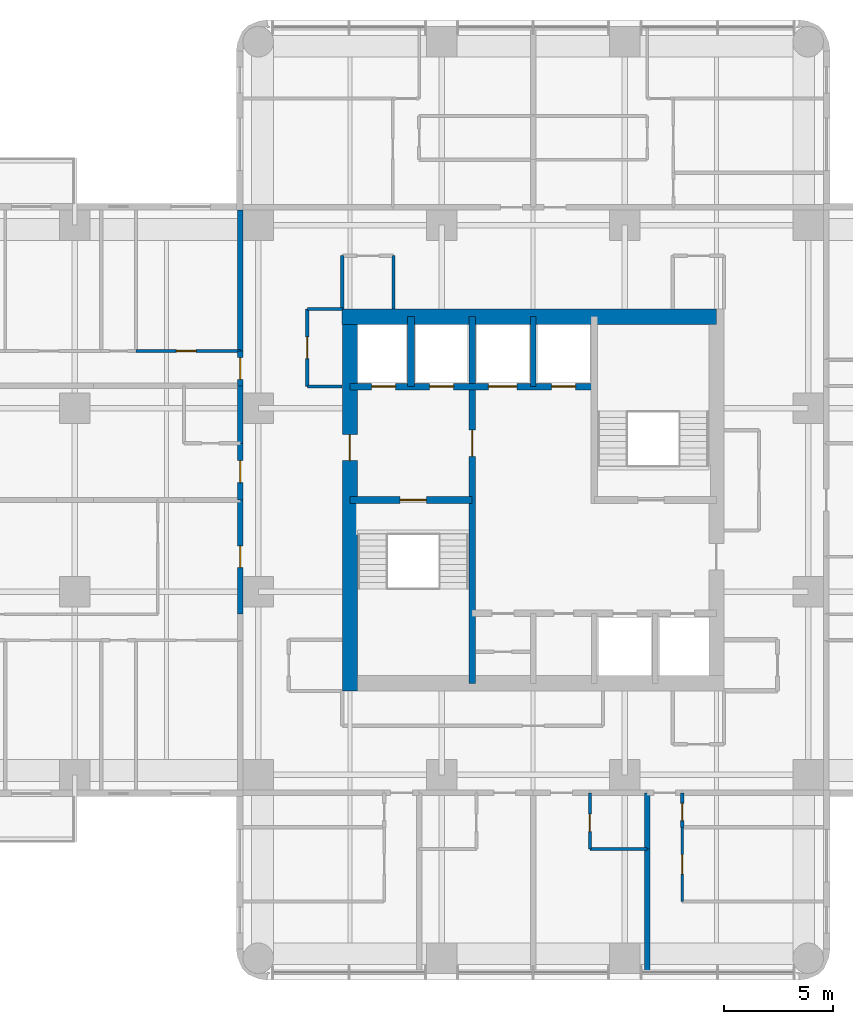
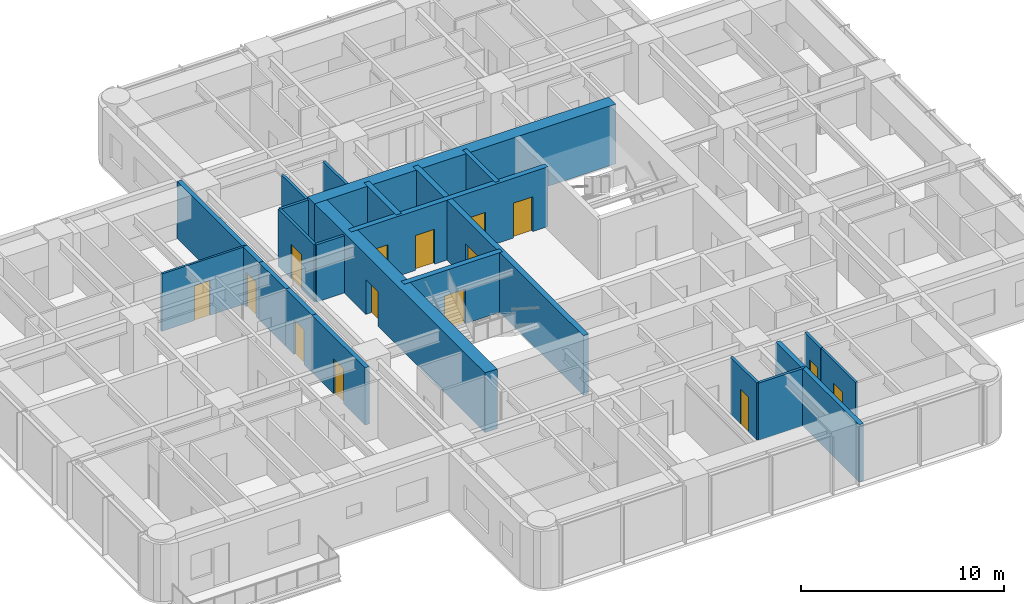
# One storey, part 6 of 11: 24 walls, 15 doors, 15 openings.
"""IFC4 building model written with IfcOpenShell, lengths in metres."""

from ifc_helpers import new_model, si_unit, direction, frame, frame_2d, origin, place, context, subcontext, project, spatial, rectangle, extrude, material, layer, layer_set, type_object, element, fill, save


model = new_model("IFC4")

# Units and contexts
model_context = context("Model", 3, precision=1e-05, world=origin(), true_north=direction((0.0, 1.0)))
body_context = subcontext(model_context, "Body", "Model", "MODEL_VIEW")
ifc_project = project(units=[si_unit("LENGTHUNIT", "METRE"), si_unit("AREAUNIT", "SQUARE_METRE"), si_unit("VOLUMEUNIT", "CUBIC_METRE"), si_unit("PLANEANGLEUNIT", "RADIAN"), si_unit("MASSUNIT", "GRAM", prefix="KILO")], contexts=[model_context])

# Site, building, storey
site_placement = place(None, origin())
site = spatial("IfcSite", under=ifc_project, at=site_placement, CompositionType="ELEMENT")
building_placement = place(site_placement, origin())
building = spatial("IfcBuilding", under=site, at=building_placement, Name="Torre Alcanfor", CompositionType="ELEMENT")
storey_placement = place(building_placement, frame((0.0, 0.0, 233.699951171875)))
storey = spatial("IfcBuildingStorey", under=building, at=storey_placement, Name="L61", CompositionType="ELEMENT", Elevation=233.699951171875)

# Wall, opening, door
ifc_material_1 = material(Name="Concrete block masonry, hollow blocks NMX-C-404 9 MPa", Category="masonry")
ifc_layer_1 = layer(ifc_material_1, 0.25)
ifc_layer_set_1 = layer_set([ifc_layer_1], Name="Apartment entrance wall 250 EI 60")
wall_type_1 = type_object("IfcWallType", Name="Apartment entrance wall 250 EI 60", PredefinedType="PARTITIONING", material=ifc_layer_set_1)
wall_1_placement = place(storey_placement, frame((15.97509765625, 24.1708984375, 0.0), z_axis=(0.0, 0.0, 1.0), x_axis=(0.0, 1.0, 0.0)))
wall_1 = element("IfcWall", 1, at=wall_1_placement, inside=storey, type_object=wall_type_1, Name="Partition L61-CORR / L61-W1-ZAG", PredefinedType="PARTITIONING", context=body_context, shape_type="SweptSolid", body=[
    extrude(rectangle(XDim=5.22900390625, YDim=0.25, at=frame_2d((2.614501953125, 0.0))), origin(), (0.0, 0.0, 1.0), 3.449951171875),
])
opening_1_placement = place(wall_1_placement, frame((2.12890625, 0.0, 0.0)))
opening_1 = element("IfcOpeningElement", 2, at=opening_1_placement, cuts=wall_1, Name="Opening D-A1", PredefinedType="OPENING", context=body_context, shape_type="SweptSolid", body=[
    extrude(rectangle(XDim=1.0, YDim=2.10009765625, at=frame_2d((0.5, 1.050048828125))), frame((0.0, 0.135009765625, 0.0), z_axis=(0.0, -1.0, 0.0), x_axis=(1.0, 0.0, 0.0)), (0.0, 0.0, 1.0), 0.27001953125),
])
ifc_material_2 = material(Name="Galvanised steel sheet ASTM A653", Category="steel")
door_type_1 = type_object("IfcDoorType", Name="Apartment entrance door FD60 1000x2100", OperationType="SINGLE_SWING_LEFT", PredefinedType="DOOR", material=ifc_material_2)
door_1_placement = place(opening_1_placement, origin())
door_1 = element("IfcDoor", 3, at=door_1_placement, inside=storey, type_object=door_type_1, Name="Apartment entrance L61-W1", OperationType="SINGLE_SWING_RIGHT", OverallHeight=2.10009765625, OverallWidth=1.0, PredefinedType="DOOR", context=body_context, shape_type="SweptSolid", body=[
    extrude(rectangle(XDim=1.0, YDim=2.10009765625, at=frame_2d((0.5, 1.050048828125))), frame((0.0, 0.02490234375, 0.0), z_axis=(0.0, -1.0, 0.0), x_axis=(1.0, 0.0, 0.0)), (0.0, 0.0, 1.0), 0.050048828125),
])
fill(opening_1, door_1)

wall_2_placement = place(storey_placement, frame((15.97509765625, 29.39990234375, 0.0), z_axis=(0.0, 0.0, 1.0), x_axis=(0.0, 1.0, 0.0)))
wall_2 = element("IfcWall", 4, at=wall_2_placement, inside=storey, type_object=wall_type_1, Name="Partition L61-CORR / L61-W2A-FOYER", PredefinedType="PARTITIONING", context=body_context, shape_type="SweptSolid", body=[
    extrude(rectangle(XDim=2.60009765625, YDim=0.25, at=frame_2d((1.300048828125, 0.0))), origin(), (0.0, 0.0, 1.0), 3.449951171875),
])
opening_2_placement = place(wall_2_placement, frame((0.800048828125, 0.0, 0.0)))
opening_2 = element("IfcOpeningElement", 5, at=opening_2_placement, cuts=wall_2, Name="Opening D-A1", PredefinedType="OPENING", context=body_context, shape_type="SweptSolid", body=[
    extrude(rectangle(XDim=1.0, YDim=2.10009765625, at=frame_2d((0.5, 1.050048828125))), frame((0.0, 0.135009765625, 0.0), z_axis=(0.0, -1.0, 0.0), x_axis=(1.0, 0.0, 0.0)), (0.0, 0.0, 1.0), 0.27001953125),
])
door_2_placement = place(opening_2_placement, origin())
door_2 = element("IfcDoor", 6, at=door_2_placement, inside=storey, type_object=door_type_1, Name="Apartment entrance L61-W2A", OperationType="SINGLE_SWING_LEFT", OverallHeight=2.10009765625, OverallWidth=1.0, PredefinedType="DOOR", context=body_context, shape_type="SweptSolid", body=[
    extrude(rectangle(XDim=1.0, YDim=2.10009765625, at=frame_2d((0.5, 1.050048828125))), frame((0.0, 0.02490234375, 0.0), z_axis=(0.0, -1.0, 0.0), x_axis=(1.0, 0.0, 0.0)), (0.0, 0.0, 1.0), 0.050048828125),
])
fill(opening_2, door_2)

# Wall
wall_3_placement = place(storey_placement, frame((15.97509765625, 32.0, 0.0), z_axis=(0.0, 0.0, 1.0), x_axis=(0.0, 1.0, 0.0)))
element("IfcWall", 7, at=wall_3_placement, inside=storey, type_object=wall_type_1, Name="Partition L61-CORR / L61-W2A-BATH", PredefinedType="PARTITIONING", context=body_context, shape_type="SweptSolid", body=[
    extrude(rectangle(XDim=2.62890625, YDim=0.25, at=frame_2d((1.314453125, 0.0))), origin(), (0.0, 0.0, 1.0), 3.449951171875),
])

# Wall, opening, door
wall_4_placement = place(storey_placement, frame((15.97509765625, 34.62890625, 0.0), z_axis=(0.0, 0.0, 1.0), x_axis=(0.0, 1.0, 0.0)))
wall_4 = element("IfcWall", 8, at=wall_4_placement, inside=storey, type_object=wall_type_1, Name="Partition L61-CORR / L61-W2B-HALL", PredefinedType="PARTITIONING", context=body_context, shape_type="SweptSolid", body=[
    extrude(rectangle(XDim=1.60009765625, YDim=0.25, at=frame_2d((0.800048828125, 0.0))), origin(), (0.0, 0.0, 1.0), 3.449951171875),
])
opening_3_placement = place(wall_4_placement, frame((0.300048828125, 0.0, 0.0)))
opening_3 = element("IfcOpeningElement", 9, at=opening_3_placement, cuts=wall_4, Name="Opening D-A1", PredefinedType="OPENING", context=body_context, shape_type="SweptSolid", body=[
    extrude(rectangle(XDim=1.0, YDim=2.10009765625, at=frame_2d((0.5, 1.050048828125))), frame((0.0, 0.135009765625, 0.0), z_axis=(0.0, -1.0, 0.0), x_axis=(1.0, 0.0, 0.0)), (0.0, 0.0, 1.0), 0.27001953125),
])
door_3_placement = place(opening_3_placement, origin())
door_3 = element("IfcDoor", 10, at=door_3_placement, inside=storey, type_object=door_type_1, Name="Apartment entrance L61-W2B", OperationType="SINGLE_SWING_LEFT", OverallHeight=2.10009765625, OverallWidth=1.0, PredefinedType="DOOR", context=body_context, shape_type="SweptSolid", body=[
    extrude(rectangle(XDim=1.0, YDim=2.10009765625, at=frame_2d((0.5, 1.050048828125))), frame((0.0, 0.02490234375, 0.0), z_axis=(0.0, -1.0, 0.0), x_axis=(1.0, 0.0, 0.0)), (0.0, 0.0, 1.0), 0.050048828125),
])
fill(opening_3, door_3)

# Wall
wall_5_placement = place(storey_placement, frame((15.97509765625, 36.22900390625, 0.0), z_axis=(0.0, 0.0, 1.0), x_axis=(0.0, 1.0, 0.0)))
element("IfcWall", 11, at=wall_5_placement, inside=storey, type_object=wall_type_1, Name="Partition L61-CORR / L61-W2B-MASTER", PredefinedType="PARTITIONING", context=body_context, shape_type="SweptSolid", body=[
    extrude(rectangle(XDim=6.470947265625, YDim=0.25, at=frame_2d((3.2353515625, 0.0))), origin(), (0.0, 0.0, 1.0), 3.449951171875),
])

# Wall, opening, door
ifc_material_3 = material(Name="Gypsum board on steel studs", Category="steel")
ifc_layer_2 = layer(ifc_material_3, 0.1201171875)
ifc_layer_set_2 = layer_set([ifc_layer_2], Name="Apartment partition 120")
wall_type_2 = type_object("IfcWallType", Name="Apartment partition 120", PredefinedType="PARTITIONING", material=ifc_layer_set_2)
wall_6_placement = place(storey_placement, frame((36.22900390625, 14.39990234375, 0.0), z_axis=(0.0, 0.0, 1.0), x_axis=(0.0, -1.0, 0.0)))
wall_6 = element("IfcWall", 12, at=wall_6_placement, inside=storey, type_object=wall_type_2, Name="Partition L61-S1B-LIVING / L61-S1B-MASTER", PredefinedType="PARTITIONING", context=body_context, shape_type="SweptSolid", body=[
    extrude(rectangle(XDim=3.39990234375, YDim=0.1201171875, at=frame_2d((1.699951171875, 0.0))), origin(), (0.0, 0.0, 1.0), 3.449951171875),
])
opening_4_placement = place(wall_6_placement, frame((1.25, 0.0, 0.0)))
opening_4 = element("IfcOpeningElement", 13, at=opening_4_placement, cuts=wall_6, Name="Opening D-R1", PredefinedType="OPENING", context=body_context, shape_type="SweptSolid", body=[
    extrude(rectangle(XDim=0.89990234375, YDim=2.10009765625, at=frame_2d((0.449951171875, 1.050048828125))), frame((0.0, 0.070068359375, 0.0), z_axis=(0.0, -1.0, 0.0), x_axis=(1.0, 0.0, 0.0)), (0.0, 0.0, 1.0), 0.14013671875),
])
ifc_material_4 = material(Name="Timber", Category="wood")
door_type_2 = type_object("IfcDoorType", Name="Internal door 900x2100", OperationType="SINGLE_SWING_LEFT", PredefinedType="DOOR", material=ifc_material_4)
door_4_placement = place(opening_4_placement, origin())
door_4 = element("IfcDoor", 14, at=door_4_placement, inside=storey, type_object=door_type_2, Name="Door L61-S1B master", OperationType="SINGLE_SWING_LEFT", OverallHeight=2.10009765625, OverallWidth=0.89990234375, PredefinedType="DOOR", context=body_context, shape_type="SweptSolid", body=[
    extrude(rectangle(XDim=0.89990234375, YDim=2.10009765625, at=frame_2d((0.449951171875, 1.050048828125))), frame((0.0, 0.02490234375, 0.0), z_axis=(0.0, -1.0, 0.0), x_axis=(1.0, 0.0, 0.0)), (0.0, 0.0, 1.0), 0.050048828125),
])
fill(opening_4, door_4)

wall_7_placement = place(storey_placement, frame((11.199951171875, 36.22900390625, 0.0), z_axis=(0.0, 0.0, 1.0), x_axis=(1.0, 0.0, 0.0)))
wall_7 = element("IfcWall", 15, at=wall_7_placement, inside=storey, type_object=wall_type_2, Name="Partition L61-W2B-HALL / L61-W2B-MASTER", PredefinedType="PARTITIONING", context=body_context, shape_type="SweptSolid", body=[
    extrude(rectangle(XDim=4.775146484375, YDim=0.1201171875, at=frame_2d((2.3876953125, 0.0))), origin(), (0.0, 0.0, 1.0), 3.449951171875),
])
opening_5_placement = place(wall_7_placement, frame((1.85009765625, 0.0, 0.0)))
opening_5 = element("IfcOpeningElement", 16, at=opening_5_placement, cuts=wall_7, Name="Opening D-R1", PredefinedType="OPENING", context=body_context, shape_type="SweptSolid", body=[
    extrude(rectangle(XDim=0.89990234375, YDim=2.10009765625, at=frame_2d((0.449951171875, 1.050048828125))), frame((0.0, 0.070068359375, 0.0), z_axis=(0.0, -1.0, 0.0), x_axis=(1.0, 0.0, 0.0)), (0.0, 0.0, 1.0), 0.14013671875),
])
door_5_placement = place(opening_5_placement, origin())
door_5 = element("IfcDoor", 17, at=door_5_placement, inside=storey, type_object=door_type_2, Name="Door L61-W2B master", OperationType="SINGLE_SWING_LEFT", OverallHeight=2.10009765625, OverallWidth=0.89990234375, PredefinedType="DOOR", context=body_context, shape_type="SweptSolid", body=[
    extrude(rectangle(XDim=0.89990234375, YDim=2.10009765625, at=frame_2d((0.449951171875, 1.050048828125))), frame((0.0, 0.02490234375, 0.0), z_axis=(0.0, -1.0, 0.0), x_axis=(1.0, 0.0, 0.0)), (0.0, 0.0, 1.0), 0.050048828125),
])
fill(opening_5, door_5)

ifc_material_5 = material(Name="Concrete f'c 70 MPa", Category="concrete")
ifc_layer_3 = layer(ifc_material_5, 0.300048828125)
ifc_layer_set_3 = layer_set([ifc_layer_3], Name="Core inner wall 300 f'c70")
wall_type_3 = type_object("IfcWallType", Name="Core inner wall 300 f'c70", PredefinedType="SHEAR", material=ifc_layer_set_3)
wall_8_placement = place(storey_placement, frame((26.60009765625, 21.0, 0.0), z_axis=(0.0, 0.0, 1.0), x_axis=(0.0, 1.0, 0.0)))
wall_8 = element("IfcWall", 18, at=wall_8_placement, inside=storey, type_object=wall_type_3, Name="Core wall X266 L61", PredefinedType="SHEAR", context=body_context, shape_type="SweptSolid", body=[
    extrude(rectangle(XDim=16.800048828125, YDim=0.300048828125, at=frame_2d((8.39990234375, 0.0))), origin(), (0.0, 0.0, 1.0), 3.60009765625),
])
opening_6_placement = place(wall_8_placement, frame((10.39990234375, 0.0, 0.0)))
opening_6 = element("IfcOpeningElement", 19, at=opening_6_placement, cuts=wall_8, Name="Opening D-L1", PredefinedType="OPENING", context=body_context, shape_type="SweptSolid", body=[
    extrude(rectangle(XDim=1.199951171875, YDim=2.10009765625, at=frame_2d((0.60009765625, 1.050048828125))), frame((0.0, 0.159912109375, 0.0), z_axis=(0.0, -1.0, 0.0), x_axis=(1.0, 0.0, 0.0)), (0.0, 0.0, 1.0), 0.320068359375),
])
ifc_material_6 = material(Name="Galvanised steel sheet ASTM A653", Category="steel")
door_type_3 = type_object("IfcDoorType", Name="Lobby door FD120 1200x2100", OperationType="SINGLE_SWING_LEFT", PredefinedType="DOOR", material=ifc_material_6)
door_6_placement = place(opening_6_placement, origin())
door_6 = element("IfcDoor", 20, at=door_6_placement, inside=storey, type_object=door_type_3, Name="Lift lobby door L61", OperationType="SINGLE_SWING_LEFT", OverallHeight=2.10009765625, OverallWidth=1.199951171875, PredefinedType="DOOR", context=body_context, shape_type="SweptSolid", body=[
    extrude(rectangle(XDim=1.199951171875, YDim=2.10009765625, at=frame_2d((0.60009765625, 1.050048828125))), frame((0.0, 0.02490234375, 0.0), z_axis=(0.0, -1.0, 0.0), x_axis=(1.0, 0.0, 0.0)), (0.0, 0.0, 1.0), 0.050048828125),
])
fill(opening_6, door_6)

wall_9_placement = place(storey_placement, frame((21.0, 29.39990234375, 0.0), z_axis=(0.0, 0.0, 1.0), x_axis=(1.0, 0.0, 0.0)))
wall_9 = element("IfcWall", 21, at=wall_9_placement, inside=storey, type_object=wall_type_3, Name="Core wall Y294W L61", PredefinedType="SHEAR", context=body_context, shape_type="SweptSolid", body=[
    extrude(rectangle(XDim=5.60009765625, YDim=0.300048828125, at=frame_2d((2.800048828125, 0.0))), origin(), (0.0, 0.0, 1.0), 3.60009765625),
])
opening_7_placement = place(wall_9_placement, frame((2.300048828125, 0.0, 0.0)))
opening_7 = element("IfcOpeningElement", 22, at=opening_7_placement, cuts=wall_9, Name="Opening D-S2", PredefinedType="OPENING", context=body_context, shape_type="SweptSolid", body=[
    extrude(rectangle(XDim=1.199951171875, YDim=2.10009765625, at=frame_2d((0.60009765625, 1.050048828125))), frame((0.0, 0.159912109375, 0.0), z_axis=(0.0, -1.0, 0.0), x_axis=(1.0, 0.0, 0.0)), (0.0, 0.0, 1.0), 0.320068359375),
])
ifc_material_7 = material(Name="Galvanised steel sheet ASTM A653", Category="steel")
door_type_4 = type_object("IfcDoorType", Name="Stair enclosure door FD120 1200x2100", OperationType="SINGLE_SWING_LEFT", PredefinedType="DOOR", material=ifc_material_7)
door_7_placement = place(opening_7_placement, frame((1.199951171875, 0.0, 0.0), z_axis=(0.0, 0.0, 1.0), x_axis=(-1.0, 0.0, 0.0)))
door_7 = element("IfcDoor", 23, at=door_7_placement, inside=storey, type_object=door_type_4, Name="Stair S1 door L61", OperationType="SINGLE_SWING_LEFT", OverallHeight=2.10009765625, OverallWidth=1.199951171875, PredefinedType="DOOR", context=body_context, shape_type="SweptSolid", body=[
    extrude(rectangle(XDim=1.199951171875, YDim=2.10009765625, at=frame_2d((0.599853515625, 1.050048828125))), frame((0.0, 0.025146484375, 0.0), z_axis=(0.0, -1.0, 0.0), x_axis=(1.0, 0.0, 0.0)), (0.0, 0.0, 1.0), 0.050048828125),
])
fill(opening_7, door_7)

# Wall, openings, doors
wall_10_placement = place(storey_placement, frame((21.0, 34.60009765625, 0.0), z_axis=(0.0, 0.0, 1.0), x_axis=(1.0, 0.0, 0.0)))
wall_10 = element("IfcWall", 24, at=wall_10_placement, inside=storey, type_object=wall_type_3, Name="Core wall Y346 L61", PredefinedType="SHEAR", context=body_context, shape_type="SweptSolid", body=[
    extrude(rectangle(XDim=11.199951171875, YDim=0.300048828125, at=frame_2d((5.60009765625, 0.0))), origin(), (0.0, 0.0, 1.0), 3.60009765625),
])
opening_8_placement = place(wall_10_placement, frame((9.25, 0.0, 0.0)))
opening_8 = element("IfcOpeningElement", 25, at=opening_8_placement, cuts=wall_10, Name="Opening LD1", PredefinedType="OPENING", context=body_context, shape_type="SweptSolid", body=[
    extrude(rectangle(XDim=1.10009765625, YDim=2.10009765625, at=frame_2d((0.550048828125, 1.050048828125))), frame((0.0, 0.159912109375, 0.0), z_axis=(0.0, -1.0, 0.0), x_axis=(1.0, 0.0, 0.0)), (0.0, 0.0, 1.0), 0.320068359375),
])
opening_9_placement = place(wall_10_placement, frame((1.0, 0.0, 0.0)))
opening_9 = element("IfcOpeningElement", 26, at=opening_9_placement, cuts=wall_10, Name="Opening LD2", PredefinedType="OPENING", context=body_context, shape_type="SweptSolid", body=[
    extrude(rectangle(XDim=1.10009765625, YDim=2.10009765625, at=frame_2d((0.550048828125, 1.050048828125))), frame((0.0, 0.159912109375, 0.0), z_axis=(0.0, -1.0, 0.0), x_axis=(1.0, 0.0, 0.0)), (0.0, 0.0, 1.0), 0.320068359375),
])
opening_10_placement = place(wall_10_placement, frame((3.64990234375, 0.0, 0.0)))
opening_10 = element("IfcOpeningElement", 27, at=opening_10_placement, cuts=wall_10, Name="Opening LD2", PredefinedType="OPENING", context=body_context, shape_type="SweptSolid", body=[
    extrude(rectangle(XDim=1.10009765625, YDim=2.10009765625, at=frame_2d((0.550048828125, 1.050048828125))), frame((0.0, 0.159912109375, 0.0), z_axis=(0.0, -1.0, 0.0), x_axis=(1.0, 0.0, 0.0)), (0.0, 0.0, 1.0), 0.320068359375),
])
opening_11_placement = place(wall_10_placement, frame((6.35009765625, 0.0, 0.0)))
opening_11 = element("IfcOpeningElement", 28, at=opening_11_placement, cuts=wall_10, Name="Opening LD3", PredefinedType="OPENING", context=body_context, shape_type="SweptSolid", body=[
    extrude(rectangle(XDim=1.300048828125, YDim=2.10009765625, at=frame_2d((0.64990234375, 1.050048828125))), frame((0.0, 0.159912109375, 0.0), z_axis=(0.0, -1.0, 0.0), x_axis=(1.0, 0.0, 0.0)), (0.0, 0.0, 1.0), 0.320068359375),
])
ifc_material_8 = material(Name="Galvanised steel sheet ASTM A653", Category="steel")
door_type_5 = type_object("IfcDoorType", Name="Firefighting lift landing door 1100x2100", OperationType="DOUBLE_DOOR_SLIDING", PredefinedType="DOOR", material=ifc_material_8)
door_8_placement = place(opening_9_placement, origin())
door_8 = element("IfcDoor", 29, at=door_8_placement, inside=storey, type_object=door_type_5, Name="Lift landing door FL1 L61", OperationType="DOUBLE_DOOR_SLIDING", OverallHeight=2.10009765625, OverallWidth=1.10009765625, PredefinedType="DOOR", context=body_context, shape_type="SweptSolid", body=[
    extrude(rectangle(XDim=1.10009765625, YDim=2.10009765625, at=frame_2d((0.550048828125, 1.050048828125))), frame((0.0, 0.02490234375, 0.0), z_axis=(0.0, -1.0, 0.0), x_axis=(1.0, 0.0, 0.0)), (0.0, 0.0, 1.0), 0.050048828125),
])
fill(opening_9, door_8)
door_9_placement = place(opening_10_placement, origin())
door_9 = element("IfcDoor", 30, at=door_9_placement, inside=storey, type_object=door_type_5, Name="Lift landing door FL2 L61", OperationType="DOUBLE_DOOR_SLIDING", OverallHeight=2.10009765625, OverallWidth=1.10009765625, PredefinedType="DOOR", context=body_context, shape_type="SweptSolid", body=[
    extrude(rectangle(XDim=1.10009765625, YDim=2.10009765625, at=frame_2d((0.550048828125, 1.050048828125))), frame((0.0, 0.02490234375, 0.0), z_axis=(0.0, -1.0, 0.0), x_axis=(1.0, 0.0, 0.0)), (0.0, 0.0, 1.0), 0.050048828125),
])
fill(opening_10, door_9)
ifc_material_9 = material(Name="Galvanised steel sheet ASTM A653", Category="steel")
door_type_6 = type_object("IfcDoorType", Name="Lift landing door 1100x2100", OperationType="DOUBLE_DOOR_SLIDING", PredefinedType="DOOR", material=ifc_material_9)
door_10_placement = place(opening_8_placement, origin())
door_10 = element("IfcDoor", 31, at=door_10_placement, inside=storey, type_object=door_type_6, Name="Lift landing door PA5 L61", OperationType="DOUBLE_DOOR_SLIDING", OverallHeight=2.10009765625, OverallWidth=1.10009765625, PredefinedType="DOOR", context=body_context, shape_type="SweptSolid", body=[
    extrude(rectangle(XDim=1.10009765625, YDim=2.10009765625, at=frame_2d((0.550048828125, 1.050048828125))), frame((0.0, 0.02490234375, 0.0), z_axis=(0.0, -1.0, 0.0), x_axis=(1.0, 0.0, 0.0)), (0.0, 0.0, 1.0), 0.050048828125),
])
fill(opening_8, door_10)
ifc_material_10 = material(Name="Galvanised steel sheet ASTM A653", Category="steel")
door_type_7 = type_object("IfcDoorType", Name="Service lift landing door 1300x2100", OperationType="DOUBLE_DOOR_SLIDING", PredefinedType="DOOR", material=ifc_material_10)
door_11_placement = place(opening_11_placement, origin())
door_11 = element("IfcDoor", 32, at=door_11_placement, inside=storey, type_object=door_type_7, Name="Lift landing door SL1 L61", OperationType="DOUBLE_DOOR_SLIDING", OverallHeight=2.10009765625, OverallWidth=1.300048828125, PredefinedType="DOOR", context=body_context, shape_type="SweptSolid", body=[
    extrude(rectangle(XDim=1.300048828125, YDim=2.10009765625, at=frame_2d((0.64990234375, 1.050048828125))), frame((0.0, 0.02490234375, 0.0), z_axis=(0.0, -1.0, 0.0), x_axis=(1.0, 0.0, 0.0)), (0.0, 0.0, 1.0), 0.050048828125),
])
fill(opening_11, door_11)

# Walls
wall_11_placement = place(storey_placement, frame((23.800048828125, 34.60009765625, 0.0), z_axis=(0.0, 0.0, 1.0), x_axis=(0.0, 1.0, 0.0)))
element("IfcWall", 33, at=wall_11_placement, inside=storey, type_object=wall_type_3, Name="Core wall X238 L61", PredefinedType="SHEAR", context=body_context, shape_type="SweptSolid", body=[
    extrude(rectangle(XDim=3.199951171875, YDim=0.300048828125, at=frame_2d((1.60009765625, 0.0))), origin(), (0.0, 0.0, 1.0), 3.60009765625),
])
ifc_material_11 = material(Name="Concrete f'c 70 MPa", Category="concrete")
ifc_layer_4 = layer(ifc_material_11, 0.25)
ifc_layer_set_4 = layer_set([ifc_layer_4], Name="Core shaft wall 250 f'c70")
wall_type_4 = type_object("IfcWallType", Name="Core shaft wall 250 f'c70", PredefinedType="SHEAR", material=ifc_layer_set_4)
wall_12_placement = place(storey_placement, frame((29.39990234375, 34.60009765625, 0.0), z_axis=(0.0, 0.0, 1.0), x_axis=(0.0, 1.0, 0.0)))
element("IfcWall", 34, at=wall_12_placement, inside=storey, type_object=wall_type_4, Name="Core wall X294N L61", PredefinedType="SHEAR", context=body_context, shape_type="SweptSolid", body=[
    extrude(rectangle(XDim=3.199951171875, YDim=0.25, at=frame_2d((1.60009765625, 0.0))), origin(), (0.0, 0.0, 1.0), 3.60009765625),
])
ifc_material_12 = material(Name="Concrete f'c 70 MPa", Category="concrete")
ifc_layer_5 = layer(ifc_material_12, 0.699951171875)
ifc_layer_set_5 = layer_set([ifc_layer_5], Name="Core wall 700 f'c70")
wall_type_5 = type_object("IfcWallType", Name="Core wall 700 f'c70", PredefinedType="SHEAR", material=ifc_layer_set_5)
wall_13_placement = place(storey_placement, frame((37.800048828125, 37.800048828125, 0.0), z_axis=(0.0, 0.0, 1.0), x_axis=(-1.0, 0.0, 0.0)))
element("IfcWall", 35, at=wall_13_placement, inside=storey, type_object=wall_type_5, Name="Core wall OUT-N L61", PredefinedType="SHEAR", context=body_context, shape_type="SweptSolid", body=[
    extrude(rectangle(XDim=17.150146484375, YDim=0.699951171875, at=frame_2d((8.5751953125, 0.0))), origin(), (0.0, 0.0, 1.0), 3.60009765625),
])

# Wall, opening, door
wall_14_placement = place(storey_placement, frame((21.0, 37.800048828125, 0.0), z_axis=(0.0, 0.0, 1.0), x_axis=(0.0, -1.0, 0.0)))
wall_14 = element("IfcWall", 36, at=wall_14_placement, inside=storey, type_object=wall_type_5, Name="Core wall OUT-W L61", PredefinedType="SHEAR", context=body_context, shape_type="SweptSolid", body=[
    extrude(rectangle(XDim=17.150146484375, YDim=0.699951171875, at=frame_2d((8.5751953125, 0.0))), origin(), (0.0, 0.0, 1.0), 3.60009765625),
])
opening_12_placement = place(wall_14_placement, frame((5.39990234375, 0.0, 0.0)))
opening_12 = element("IfcOpeningElement", 37, at=opening_12_placement, cuts=wall_14, Name="Opening D-L1", PredefinedType="OPENING", context=body_context, shape_type="SweptSolid", body=[
    extrude(rectangle(XDim=1.199951171875, YDim=2.10009765625, at=frame_2d((0.60009765625, 1.050048828125))), frame((0.0, 0.35986328125, 0.0), z_axis=(0.0, -1.0, 0.0), x_axis=(1.0, 0.0, 0.0)), (0.0, 0.0, 1.0), 0.719970703125),
])
door_12_placement = place(opening_12_placement, origin())
door_12 = element("IfcDoor", 38, at=door_12_placement, inside=storey, type_object=door_type_3, Name="Firefighting lobby door L61", OperationType="SINGLE_SWING_LEFT", OverallHeight=2.10009765625, OverallWidth=1.199951171875, PredefinedType="DOOR", context=body_context, shape_type="SweptSolid", body=[
    extrude(rectangle(XDim=1.199951171875, YDim=2.10009765625, at=frame_2d((0.60009765625, 1.050048828125))), frame((0.0, 0.02490234375, 0.0), z_axis=(0.0, -1.0, 0.0), x_axis=(1.0, 0.0, 0.0)), (0.0, 0.0, 1.0), 0.050048828125),
])
fill(opening_12, door_12)

# Walls
ifc_material_13 = material(Name="Concrete block masonry, hollow blocks NMX-C-404 9 MPa", Category="masonry")
ifc_layer_6 = layer(ifc_material_13, 0.25)
ifc_layer_set_6 = layer_set([ifc_layer_6], Name="Party wall 250 EI 60")
wall_type_6 = type_object("IfcWallType", Name="Party wall 250 EI 60", PredefinedType="PARTITIONING", material=ifc_layer_set_6)
wall_15_placement = place(storey_placement, frame((34.62890625, 13.39990234375, 0.0), z_axis=(0.0, 0.0, 1.0), x_axis=(0.0, -1.0, 0.0)))
element("IfcWall", 39, at=wall_15_placement, inside=storey, type_object=wall_type_6, Name="Partition L61-S1A-STUDIO / L61-S1B-LIVING", PredefinedType="PARTITIONING", context=body_context, shape_type="SweptSolid", body=[
    extrude(rectangle(XDim=5.64990234375, YDim=0.25, at=frame_2d((2.824951171875, 0.0))), origin(), (0.0, 0.0, 1.0), 3.449951171875),
])
wall_16_placement = place(storey_placement, frame((34.62890625, 13.39990234375, 0.0), z_axis=(0.0, 0.0, 1.0), x_axis=(0.0, 1.0, 0.0)))
element("IfcWall", 40, at=wall_16_placement, inside=storey, type_object=wall_type_6, Name="Partition L61-S1A-BATH / L61-S1B-LIVING", PredefinedType="PARTITIONING", context=body_context, shape_type="SweptSolid", body=[
    extrude(rectangle(XDim=2.5751953125, YDim=0.25, at=frame_2d((1.28759765625, 0.0))), origin(), (0.0, 0.0, 1.0), 3.449951171875),
])
ifc_material_14 = material(Name="Concrete block masonry, hollow blocks NMX-C-404 9 MPa", Category="masonry")
ifc_layer_7 = layer(ifc_material_14, 0.14990234375)
ifc_layer_set_7 = layer_set([ifc_layer_7], Name="Residents' room partition 150")
wall_type_7 = type_object("IfcWallType", Name="Residents' room partition 150", PredefinedType="PARTITIONING", material=ifc_layer_set_7)
for number, where, z_axis, x_axis, name in (
    (41, (23.0, 38.14990234375, 0.0), (0.0, 0.0, 1.0), (0.0, 1.0, 0.0), "Partition L61-CORR / L61-G01"),
    (42, (20.64990234375, 40.60009765625, 0.0), (0.0, 0.0, 1.0), (0.0, -1.0, 0.0), "Partition L61-CORR / L61-G01"),
):
    element("IfcWall", number, at=place(storey_placement, frame(where, z_axis=z_axis, x_axis=x_axis)), inside=storey, type_object=wall_type_7, Name=name, PredefinedType="PARTITIONING", context=body_context, shape_type="SweptSolid", body=[
        extrude(rectangle(XDim=2.4501953125, YDim=0.14990234375, at=frame_2d((1.22509765625, 0.0))), origin(), (0.0, 0.0, 1.0), 3.449951171875),
    ])
wall_17_placement = place(storey_placement, frame((20.64990234375, 38.14990234375, 0.0), z_axis=(0.0, 0.0, 1.0), x_axis=(-1.0, 0.0, 0.0)))
element("IfcWall", 43, at=wall_17_placement, inside=storey, type_object=wall_type_7, Name="Partition L61-CORR / L61-G08", PredefinedType="PARTITIONING", context=body_context, shape_type="SweptSolid", body=[
    extrude(rectangle(XDim=1.599853515625, YDim=0.14990234375, at=frame_2d((0.7998046875, 0.0))), origin(), (0.0, 0.0, 1.0), 3.449951171875),
])

# Wall, opening, door
wall_18_placement = place(storey_placement, frame((19.050048828125, 38.14990234375, 0.0), z_axis=(0.0, 0.0, 1.0), x_axis=(0.0, -1.0, 0.0)))
wall_18 = element("IfcWall", 44, at=wall_18_placement, inside=storey, type_object=wall_type_7, Name="Partition L61-CORR / L61-G08", PredefinedType="PARTITIONING", context=body_context, shape_type="SweptSolid", body=[
    extrude(rectangle(XDim=3.5498046875, YDim=0.14990234375, at=frame_2d((1.77490234375, 0.0))), origin(), (0.0, 0.0, 1.0), 3.449951171875),
])
opening_13_placement = place(wall_18_placement, frame((1.27490234375, 0.0, 0.0)))
opening_13 = element("IfcOpeningElement", 45, at=opening_13_placement, cuts=wall_18, Name="Opening D-M1", PredefinedType="OPENING", context=body_context, shape_type="SweptSolid", body=[
    extrude(rectangle(XDim=1.0, YDim=2.10009765625, at=frame_2d((0.5, 1.050048828125))), frame((0.0, 0.0849609375, 0.0), z_axis=(0.0, -1.0, 0.0), x_axis=(1.0, 0.0, 0.0)), (0.0, 0.0, 1.0), 0.169921875),
])
ifc_material_15 = material(Name="Timber", Category="wood")
door_type_8 = type_object("IfcDoorType", Name="Residents' room door 1000x2100", OperationType="SINGLE_SWING_LEFT", PredefinedType="DOOR", material=ifc_material_15)
door_13_placement = place(opening_13_placement, origin())
door_13 = element("IfcDoor", 46, at=door_13_placement, inside=storey, type_object=door_type_8, Name="Door L61-G08 parcel room", OperationType="SINGLE_SWING_LEFT", OverallHeight=2.10009765625, OverallWidth=1.0, PredefinedType="DOOR", context=body_context, shape_type="SweptSolid", body=[
    extrude(rectangle(XDim=1.0, YDim=2.10009765625, at=frame_2d((0.5, 1.050048828125))), frame((0.0, 0.02490234375, 0.0), z_axis=(0.0, -1.0, 0.0), x_axis=(1.0, 0.0, 0.0)), (0.0, 0.0, 1.0), 0.050048828125),
])
fill(opening_13, door_13)

# Wall
wall_19_placement = place(storey_placement, frame((19.050048828125, 34.60009765625, 0.0), z_axis=(0.0, 0.0, 1.0), x_axis=(1.0, 0.0, 0.0)))
element("IfcWall", 47, at=wall_19_placement, inside=storey, type_object=wall_type_7, Name="Partition L61-CORR / L61-G08", PredefinedType="PARTITIONING", context=body_context, shape_type="SweptSolid", body=[
    extrude(rectangle(XDim=1.599853515625, YDim=0.14990234375, at=frame_2d((0.7998046875, 0.0))), origin(), (0.0, 0.0, 1.0), 3.449951171875),
])

# Wall, opening, door
ifc_material_16 = material(Name="Cement board on steel studs", Category="steel")
ifc_layer_8 = layer(ifc_material_16, 0.14990234375)
ifc_layer_set_8 = layer_set([ifc_layer_8], Name="Wet area partition 150")
wall_type_8 = type_object("IfcWallType", Name="Wet area partition 150", PredefinedType="PARTITIONING", material=ifc_layer_set_8)
wall_20_placement = place(storey_placement, frame((32.0, 15.97509765625, 0.0), z_axis=(0.0, 0.0, 1.0), x_axis=(0.0, -1.0, 0.0)))
wall_20 = element("IfcWall", 48, at=wall_20_placement, inside=storey, type_object=wall_type_8, Name="Partition L61-S1A-STUDIO / L61-S1A-BATH", PredefinedType="PARTITIONING", context=body_context, shape_type="SweptSolid", body=[
    extrude(rectangle(XDim=2.5751953125, YDim=0.14990234375, at=frame_2d((1.28759765625, 0.0))), origin(), (0.0, 0.0, 1.0), 3.449951171875),
])
opening_14_placement = place(wall_20_placement, frame((0.97509765625, 0.0, 0.0)))
opening_14 = element("IfcOpeningElement", 49, at=opening_14_placement, cuts=wall_20, Name="Opening D-R2", PredefinedType="OPENING", context=body_context, shape_type="SweptSolid", body=[
    extrude(rectangle(XDim=0.800048828125, YDim=2.10009765625, at=frame_2d((0.39990234375, 1.050048828125))), frame((0.0, 0.0849609375, 0.0), z_axis=(0.0, -1.0, 0.0), x_axis=(1.0, 0.0, 0.0)), (0.0, 0.0, 1.0), 0.169921875),
])
ifc_material_17 = material(Name="Timber", Category="wood")
door_type_9 = type_object("IfcDoorType", Name="Bathroom door 800x2100", OperationType="SINGLE_SWING_LEFT", PredefinedType="DOOR", material=ifc_material_17)
door_14_placement = place(opening_14_placement, origin())
door_14 = element("IfcDoor", 50, at=door_14_placement, inside=storey, type_object=door_type_9, Name="Door L61-S1A bath", OperationType="SINGLE_SWING_RIGHT", OverallHeight=2.10009765625, OverallWidth=0.800048828125, PredefinedType="DOOR", context=body_context, shape_type="SweptSolid", body=[
    extrude(rectangle(XDim=0.800048828125, YDim=2.10009765625, at=frame_2d((0.39990234375, 1.050048828125))), frame((0.0, 0.02490234375, 0.0), z_axis=(0.0, -1.0, 0.0), x_axis=(1.0, 0.0, 0.0)), (0.0, 0.0, 1.0), 0.050048828125),
])
fill(opening_14, door_14)

# Wall
wall_21_placement = place(storey_placement, frame((32.0, 13.39990234375, 0.0), z_axis=(0.0, 0.0, 1.0), x_axis=(1.0, 0.0, 0.0)))
element("IfcWall", 51, at=wall_21_placement, inside=storey, type_object=wall_type_8, Name="Partition L61-S1A-STUDIO / L61-S1A-BATH", PredefinedType="PARTITIONING", context=body_context, shape_type="SweptSolid", body=[
    extrude(rectangle(XDim=2.62890625, YDim=0.14990234375, at=frame_2d((1.314453125, 0.0))), origin(), (0.0, 0.0, 1.0), 3.449951171875),
])

# Wall, opening, door
wall_22_placement = place(storey_placement, frame((36.22900390625, 15.97509765625, 0.0), z_axis=(0.0, 0.0, 1.0), x_axis=(0.0, -1.0, 0.0)))
wall_22 = element("IfcWall", 52, at=wall_22_placement, inside=storey, type_object=wall_type_8, Name="Partition L61-S1B-LIVING / L61-S1B-BATH", PredefinedType="PARTITIONING", context=body_context, shape_type="SweptSolid", body=[
    extrude(rectangle(XDim=1.5751953125, YDim=0.14990234375, at=frame_2d((0.78759765625, 0.0))), origin(), (0.0, 0.0, 1.0), 3.449951171875),
])
opening_15_placement = place(wall_22_placement, frame((0.47509765625, 0.0, 0.0)))
opening_15 = element("IfcOpeningElement", 53, at=opening_15_placement, cuts=wall_22, Name="Opening D-R2", PredefinedType="OPENING", context=body_context, shape_type="SweptSolid", body=[
    extrude(rectangle(XDim=0.800048828125, YDim=2.10009765625, at=frame_2d((0.39990234375, 1.050048828125))), frame((0.0, 0.0849609375, 0.0), z_axis=(0.0, -1.0, 0.0), x_axis=(1.0, 0.0, 0.0)), (0.0, 0.0, 1.0), 0.169921875),
])
door_15_placement = place(opening_15_placement, origin())
door_15 = element("IfcDoor", 54, at=door_15_placement, inside=storey, type_object=door_type_9, Name="Door L61-S1B bath", OperationType="SINGLE_SWING_RIGHT", OverallHeight=2.10009765625, OverallWidth=0.800048828125, PredefinedType="DOOR", context=body_context, shape_type="SweptSolid", body=[
    extrude(rectangle(XDim=0.800048828125, YDim=2.10009765625, at=frame_2d((0.39990234375, 1.050048828125))), frame((0.0, 0.02490234375, 0.0), z_axis=(0.0, -1.0, 0.0), x_axis=(1.0, 0.0, 0.0)), (0.0, 0.0, 1.0), 0.050048828125),
])
fill(opening_15, door_15)

save(model, "model.ifc")
